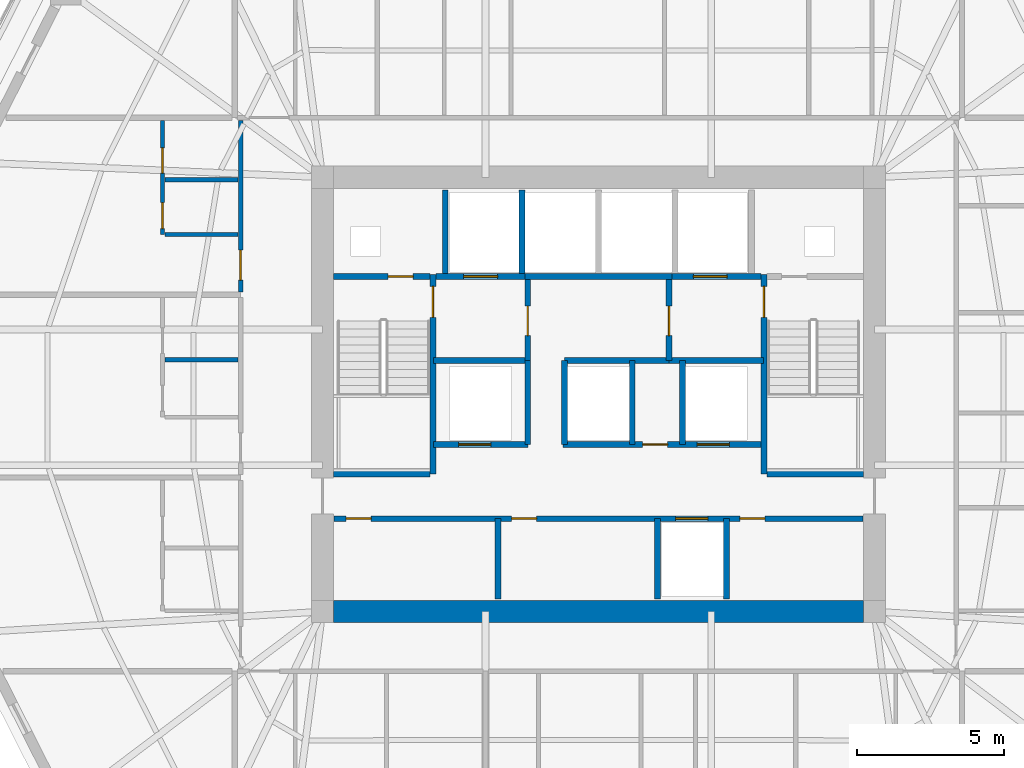
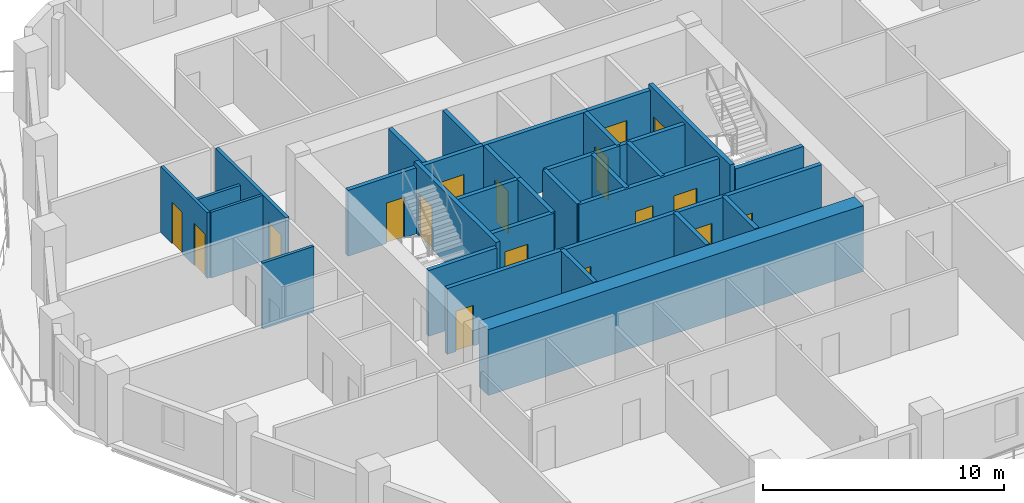
# One storey, part 5 of 10: 31 walls, 17 doors, 17 openings.
"""IFC4 building model written with IfcOpenShell, lengths in metres."""

from ifc_helpers import new_model, si_unit, direction, frame, frame_2d, origin, place, context, subcontext, project, spatial, rectangle, extrude, material, layer, layer_set, type_object, element, fill, save


model = new_model("IFC4")

# Units and contexts
model_context = context("Model", 3, precision=1e-05, world=origin(), true_north=direction((0.0, 1.0)))
body_context = subcontext(model_context, "Body", "Model", "MODEL_VIEW")
ifc_project = project(units=[si_unit("LENGTHUNIT", "METRE"), si_unit("AREAUNIT", "SQUARE_METRE"), si_unit("VOLUMEUNIT", "CUBIC_METRE"), si_unit("PLANEANGLEUNIT", "RADIAN"), si_unit("MASSUNIT", "GRAM", prefix="KILO")], contexts=[model_context])

# Site, building, storey
site_placement = place(None, origin())
site = spatial("IfcSite", under=ifc_project, at=site_placement, CompositionType="ELEMENT")
building_placement = place(site_placement, origin())
building = spatial("IfcBuilding", under=site, at=building_placement, Name="Cinnabar Lancet Tower", CompositionType="ELEMENT")
storey_placement = place(building_placement, frame((0.0, 0.0, 116.14990234375)))
storey = spatial("IfcBuildingStorey", under=building, at=storey_placement, Name="L30", CompositionType="ELEMENT", Elevation=116.14990234375)

# Wall, opening, door
ifc_material_1 = material(Name="Acoustic twin-stud gypsum partition", Category="gypsum")
ifc_layer_1 = layer(ifc_material_1, 0.159912109375)
ifc_layer_set_1 = layer_set([ifc_layer_1], Name="Acoustic twin-stud gypsum partition")
wall_type_1 = type_object("IfcWallType", Name="ARC-WL-CORR-160", PredefinedType="PARTITIONING", material=ifc_layer_set_1)
wall_1_placement = place(storey_placement, frame((20.25, 29.37890625, 0.0), z_axis=(0.0, 0.0, 1.0), x_axis=(0.0, 1.0, 0.0)))
wall_1 = element("IfcWall", 1, at=wall_1_placement, inside=storey, type_object=wall_type_1, Name="UW-L30-W03-COR", PredefinedType="PARTITIONING", context=body_context, shape_type="SweptSolid", body=[
    extrude(rectangle(XDim=5.826171875, YDim=0.159912109375, at=frame_2d((2.9130859375, 0.0))), origin(), (0.0, 0.0, 1.0), 3.340087890625),
])
opening_1_placement = place(wall_1_placement, frame((0.39990234375, 0.0, 0.0)))
opening_1 = element("IfcOpeningElement", 2, at=opening_1_placement, cuts=wall_1, Name="Opening UD-01", PredefinedType="OPENING", context=body_context, shape_type="SweptSolid", body=[
    extrude(rectangle(XDim=1.02001953125, YDim=2.25, at=frame_2d((0.510009765625, 1.125))), frame((0.0, 0.08984375, 0.0), z_axis=(0.0, -1.0, 0.0), x_axis=(1.0, 0.0, 0.0)), (0.0, 0.0, 1.0), 0.179931640625),
])
ifc_material_2 = material(Name="Solid timber fire-rated apartment entrance door", Category="wood")
door_type_1 = type_object("IfcDoorType", Name="ARC-DR-UNIT", OperationType="NOTDEFINED", PredefinedType="DOOR", material=ifc_material_2)
door_1_placement = place(opening_1_placement, origin())
door_1 = element("IfcDoor", 3, at=door_1_placement, inside=storey, type_object=door_type_1, Name="DR-L30-W03-ENT", OperationType="SINGLE_SWING_RIGHT", OverallHeight=2.25, OverallWidth=1.02001953125, PredefinedType="DOOR", context=body_context, shape_type="SweptSolid", body=[
    extrude(rectangle(XDim=1.02001953125, YDim=2.25, at=frame_2d((0.510009765625, 1.125))), frame((0.0, 0.02490234375, 0.0), z_axis=(0.0, -1.0, 0.0), x_axis=(1.0, 0.0, 0.0)), (0.0, 0.0, 1.0), 0.050048828125),
])
fill(opening_1, door_1)

# Walls
ifc_material_3 = material(Name="Autoclaved aerated concrete blockwork", Category="masonry")
ifc_layer_2 = layer(ifc_material_3, 0.199951171875)
ifc_layer_set_2 = layer_set([ifc_layer_2], Name="Autoclaved aerated concrete blockwork")
wall_type_2 = type_object("IfcWallType", Name="ARC-WL-SHAFT-200", PredefinedType="PLUMBINGWALL", material=ifc_layer_set_2)
for number, where, z_axis, x_axis, name in (
    (4, (23.405029296875, 23.199951171875, 0.0), (0.0, 0.0, 1.0), (1.0, 0.0, 0.0), "CW-ST1S-L30"),
    (5, (38.125, 23.199951171875, 0.0), (0.0, 0.0, 1.0), (1.0, 0.0, 0.0), "CW-ST2S-L30"),
):
    element("IfcWall", number, at=place(storey_placement, frame(where, z_axis=z_axis, x_axis=x_axis)), inside=storey, type_object=wall_type_2, Name=name, PredefinedType="PLUMBINGWALL", context=body_context, shape_type="SweptSolid", body=[
        extrude(rectangle(XDim=3.27001953125, YDim=0.199951171875, at=frame_2d((1.635009765625, 0.0))), origin(), (0.0, 0.0, 1.0), 3.340087890625),
    ])

# Wall, opening, door
wall_2_placement = place(storey_placement, frame((23.405029296875, 29.89990234375, 0.0), z_axis=(0.0, 0.0, 1.0), x_axis=(1.0, 0.0, 0.0)))
wall_2 = element("IfcWall", 6, at=wall_2_placement, inside=storey, type_object=wall_type_2, Name="CW-NSH-W-L30", PredefinedType="PLUMBINGWALL", context=body_context, shape_type="SweptSolid", body=[
    extrude(rectangle(XDim=3.27001953125, YDim=0.199951171875, at=frame_2d((1.635009765625, 0.0))), origin(), (0.0, 0.0, 1.0), 3.340087890625),
])
opening_2_placement = place(wall_2_placement, frame((1.85009765625, 0.0, 0.0)))
opening_2 = element("IfcOpeningElement", 7, at=opening_2_placement, cuts=wall_2, Name="Opening PD-02", PredefinedType="OPENING", context=body_context, shape_type="SweptSolid", body=[
    extrude(rectangle(XDim=0.85009765625, YDim=2.050048828125, at=frame_2d((0.425048828125, 1.02490234375))), frame((0.0, 0.10986328125, 0.0), z_axis=(0.0, -1.0, 0.0), x_axis=(1.0, 0.0, 0.0)), (0.0, 0.0, 1.0), 0.219970703125),
])
ifc_material_4 = material(Name="Fire-rated steel riser access door", Category="steel")
door_type_2 = type_object("IfcDoorType", Name="ARC-DR-RISER", OperationType="NOTDEFINED", PredefinedType="DOOR", material=ifc_material_4)
door_2_placement = place(opening_2_placement, origin())
door_2 = element("IfcDoor", 8, at=door_2_placement, inside=storey, type_object=door_type_2, Name="L30 West Riser Access Door", OperationType="SINGLE_SWING_LEFT", OverallHeight=2.050048828125, OverallWidth=0.85009765625, PredefinedType="DOOR", context=body_context, shape_type="SweptSolid", body=[
    extrude(rectangle(XDim=0.85009765625, YDim=2.050048828125, at=frame_2d((0.425048828125, 1.02490234375))), frame((0.0, 0.02490234375, 0.0), z_axis=(0.0, -1.0, 0.0), x_axis=(1.0, 0.0, 0.0)), (0.0, 0.0, 1.0), 0.050048828125),
])
fill(opening_2, door_2)

wall_3_placement = place(storey_placement, frame((26.885009765625, 29.89990234375, 0.0), z_axis=(0.0, 0.0, 1.0), x_axis=(1.0, 0.0, 0.0)))
wall_3 = element("IfcWall", 9, at=wall_3_placement, inside=storey, type_object=wall_type_2, Name="CW-FL1-L30", PredefinedType="PLUMBINGWALL", context=body_context, shape_type="SweptSolid", body=[
    extrude(rectangle(XDim=3.014892578125, YDim=0.199951171875, at=frame_2d((1.50732421875, 0.0))), origin(), (0.0, 0.0, 1.0), 3.340087890625),
])
opening_3_placement = place(wall_3_placement, frame((0.93994140625, 0.0, 0.0)))
opening_3 = element("IfcOpeningElement", 10, at=opening_3_placement, cuts=wall_3, Name="Opening LD-02", PredefinedType="OPENING", context=body_context, shape_type="SweptSolid", body=[
    extrude(rectangle(XDim=1.14990234375, YDim=2.199951171875, at=frame_2d((0.574951171875, 1.10009765625))), frame((0.0, 0.10986328125, 0.0), z_axis=(0.0, -1.0, 0.0), x_axis=(1.0, 0.0, 0.0)), (0.0, 0.0, 1.0), 0.219970703125),
])
ifc_material_5 = material(Name="Fire-rated stainless steel firefighting lift landing door", Category="steel")
door_type_3 = type_object("IfcDoorType", Name="ARC-DR-LD-FIRE", OperationType="NOTDEFINED", PredefinedType="DOOR", material=ifc_material_5)
door_3_placement = place(opening_3_placement, origin())
door_3 = element("IfcDoor", 11, at=door_3_placement, inside=storey, type_object=door_type_3, Name="L30 Firefighting Lift FL-1 Landing Door", OperationType="DOUBLE_DOOR_SLIDING", OverallHeight=2.199951171875, OverallWidth=1.14990234375, PredefinedType="DOOR", context=body_context, shape_type="SweptSolid", body=[
    extrude(rectangle(XDim=1.14990234375, YDim=2.199951171875, at=frame_2d((0.574951171875, 1.10009765625))), frame((0.0, 0.02490234375, 0.0), z_axis=(0.0, -1.0, 0.0), x_axis=(1.0, 0.0, 0.0)), (0.0, 0.0, 1.0), 0.050048828125),
])
fill(opening_3, door_3)

# Wall
wall_4_placement = place(storey_placement, frame((29.89990234375, 29.89990234375, 0.0), z_axis=(0.0, 0.0, 1.0), x_axis=(1.0, 0.0, 0.0)))
element("IfcWall", 12, at=wall_4_placement, inside=storey, type_object=wall_type_2, Name="CW-PL78-L30", PredefinedType="PLUMBINGWALL", context=body_context, shape_type="SweptSolid", body=[
    extrude(rectangle(XDim=5.0, YDim=0.199951171875, at=frame_2d((2.5, 0.0))), origin(), (0.0, 0.0, 1.0), 3.340087890625),
])

# Wall, opening, door
wall_5_placement = place(storey_placement, frame((34.89990234375, 29.89990234375, 0.0), z_axis=(0.0, 0.0, 1.0), x_axis=(1.0, 0.0, 0.0)))
wall_5 = element("IfcWall", 13, at=wall_5_placement, inside=storey, type_object=wall_type_2, Name="CW-FL2-L30", PredefinedType="PLUMBINGWALL", context=body_context, shape_type="SweptSolid", body=[
    extrude(rectangle(XDim=3.01513671875, YDim=0.199951171875, at=frame_2d((1.507568359375, 0.0))), origin(), (0.0, 0.0, 1.0), 3.340087890625),
])
opening_4_placement = place(wall_5_placement, frame((0.72509765625, 0.0, 0.0)))
opening_4 = element("IfcOpeningElement", 14, at=opening_4_placement, cuts=wall_5, Name="Opening LD-02", PredefinedType="OPENING", context=body_context, shape_type="SweptSolid", body=[
    extrude(rectangle(XDim=1.14990234375, YDim=2.199951171875, at=frame_2d((0.574951171875, 1.10009765625))), frame((0.0, 0.10986328125, 0.0), z_axis=(0.0, -1.0, 0.0), x_axis=(1.0, 0.0, 0.0)), (0.0, 0.0, 1.0), 0.219970703125),
])
door_4_placement = place(opening_4_placement, origin())
door_4 = element("IfcDoor", 15, at=door_4_placement, inside=storey, type_object=door_type_3, Name="L30 Firefighting Lift FL-2 Landing Door", OperationType="DOUBLE_DOOR_SLIDING", OverallHeight=2.199951171875, OverallWidth=1.14990234375, PredefinedType="DOOR", context=body_context, shape_type="SweptSolid", body=[
    extrude(rectangle(XDim=1.14990234375, YDim=2.199951171875, at=frame_2d((0.574951171875, 1.10009765625))), frame((0.0, 0.02490234375, 0.0), z_axis=(0.0, -1.0, 0.0), x_axis=(1.0, 0.0, 0.0)), (0.0, 0.0, 1.0), 0.050048828125),
])
fill(opening_4, door_4)

# Walls
for number, where, z_axis, x_axis, name in (
    (16, (27.199951171875, 30.0, 0.0), (0.0, 0.0, 1.0), (0.0, 1.0, 0.0), "CW-NSH-D1-L30"),
    (17, (29.800048828125, 30.0, 0.0), (0.0, 0.0, 1.0), (0.0, 1.0, 0.0), "CW-NSH-D2-L30"),
):
    element("IfcWall", number, at=place(storey_placement, frame(where, z_axis=z_axis, x_axis=x_axis)), inside=storey, type_object=wall_type_2, Name=name, PredefinedType="PLUMBINGWALL", context=body_context, shape_type="SweptSolid", body=[
        extrude(rectangle(XDim=2.85009765625, YDim=0.199951171875, at=frame_2d((1.425048828125, 0.0))), origin(), (0.0, 0.0, 1.0), 3.340087890625),
    ])

# Wall, opening, door
wall_6_placement = place(storey_placement, frame((30.0, 27.050048828125, 0.0), z_axis=(0.0, 0.0, 1.0), x_axis=(0.0, 1.0, 0.0)))
wall_6 = element("IfcWall", 18, at=wall_6_placement, inside=storey, type_object=wall_type_2, Name="CW-FF1E-L30", PredefinedType="PLUMBINGWALL", context=body_context, shape_type="SweptSolid", body=[
    extrude(rectangle(XDim=2.75, YDim=0.199951171875, at=frame_2d((1.375, 0.0))), origin(), (0.0, 0.0, 1.0), 3.340087890625),
])
opening_5_placement = place(wall_6_placement, frame((0.85009765625, 0.0, 0.0)))
opening_5 = element("IfcOpeningElement", 19, at=opening_5_placement, cuts=wall_6, Name="Opening FD-01", PredefinedType="OPENING", context=body_context, shape_type="SweptSolid", body=[
    extrude(rectangle(XDim=1.0, YDim=2.14990234375, at=frame_2d((0.5, 1.074951171875))), frame((0.0, 0.10986328125, 0.0), z_axis=(0.0, -1.0, 0.0), x_axis=(1.0, 0.0, 0.0)), (0.0, 0.0, 1.0), 0.219970703125),
])
ifc_material_6 = material(Name="Fire-rated timber-core lobby door", Category="wood")
door_type_4 = type_object("IfcDoorType", Name="ARC-DR-FFAL", OperationType="NOTDEFINED", PredefinedType="DOOR", material=ifc_material_6)
door_5_placement = place(opening_5_placement, origin())
door_5 = element("IfcDoor", 20, at=door_5_placement, inside=storey, type_object=door_type_4, Name="L30 FFAL-1 Lobby Fire Door", OperationType="SINGLE_SWING_RIGHT", OverallHeight=2.14990234375, OverallWidth=1.0, PredefinedType="DOOR", context=body_context, shape_type="SweptSolid", body=[
    extrude(rectangle(XDim=1.0, YDim=2.14990234375, at=frame_2d((0.5, 1.074951171875))), frame((0.0, 0.02490234375, 0.0), z_axis=(0.0, -1.0, 0.0), x_axis=(1.0, 0.0, 0.0)), (0.0, 0.0, 1.0), 0.050048828125),
])
fill(opening_5, door_5)

# Wall
wall_7_placement = place(storey_placement, frame((26.800048828125, 27.050048828125, 0.0), z_axis=(0.0, 0.0, 1.0), x_axis=(1.0, 0.0, 0.0)))
element("IfcWall", 21, at=wall_7_placement, inside=storey, type_object=wall_type_2, Name="CW-FF1S-L30", PredefinedType="PLUMBINGWALL", context=body_context, shape_type="SweptSolid", body=[
    extrude(rectangle(XDim=3.199951171875, YDim=0.199951171875, at=frame_2d((1.60009765625, 0.0))), origin(), (0.0, 0.0, 1.0), 3.340087890625),
])

# Wall, opening, door
wall_8_placement = place(storey_placement, frame((34.800048828125, 27.050048828125, 0.0), z_axis=(0.0, 0.0, 1.0), x_axis=(0.0, 1.0, 0.0)))
wall_8 = element("IfcWall", 22, at=wall_8_placement, inside=storey, type_object=wall_type_2, Name="CW-FF2W-L30", PredefinedType="PLUMBINGWALL", context=body_context, shape_type="SweptSolid", body=[
    extrude(rectangle(XDim=2.75, YDim=0.199951171875, at=frame_2d((1.375, 0.0))), origin(), (0.0, 0.0, 1.0), 3.340087890625),
])
opening_6_placement = place(wall_8_placement, frame((0.85009765625, 0.0, 0.0)))
opening_6 = element("IfcOpeningElement", 23, at=opening_6_placement, cuts=wall_8, Name="Opening FD-01", PredefinedType="OPENING", context=body_context, shape_type="SweptSolid", body=[
    extrude(rectangle(XDim=1.0, YDim=2.14990234375, at=frame_2d((0.5, 1.074951171875))), frame((0.0, 0.10986328125, 0.0), z_axis=(0.0, -1.0, 0.0), x_axis=(1.0, 0.0, 0.0)), (0.0, 0.0, 1.0), 0.219970703125),
])
door_6_placement = place(opening_6_placement, origin())
door_6 = element("IfcDoor", 24, at=door_6_placement, inside=storey, type_object=door_type_4, Name="L30 FFAL-2 Lobby Fire Door", OperationType="SINGLE_SWING_LEFT", OverallHeight=2.14990234375, OverallWidth=1.0, PredefinedType="DOOR", context=body_context, shape_type="SweptSolid", body=[
    extrude(rectangle(XDim=1.0, YDim=2.14990234375, at=frame_2d((0.5, 1.074951171875))), frame((0.0, 0.02490234375, 0.0), z_axis=(0.0, -1.0, 0.0), x_axis=(1.0, 0.0, 0.0)), (0.0, 0.0, 1.0), 0.050048828125),
])
fill(opening_6, door_6)

# Wall
wall_9_placement = place(storey_placement, frame((34.800048828125, 27.050048828125, 0.0), z_axis=(0.0, 0.0, 1.0), x_axis=(1.0, 0.0, 0.0)))
element("IfcWall", 25, at=wall_9_placement, inside=storey, type_object=wall_type_2, Name="CW-FF2S-L30", PredefinedType="PLUMBINGWALL", context=body_context, shape_type="SweptSolid", body=[
    extrude(rectangle(XDim=3.199951171875, YDim=0.199951171875, at=frame_2d((1.60009765625, 0.0))), origin(), (0.0, 0.0, 1.0), 3.340087890625),
])

# Wall, opening, door
wall_10_placement = place(storey_placement, frame((26.800048828125, 24.199951171875, 0.0), z_axis=(0.0, 0.0, 1.0), x_axis=(1.0, 0.0, 0.0)))
wall_10 = element("IfcWall", 26, at=wall_10_placement, inside=storey, type_object=wall_type_2, Name="CW-PL5S-L30", PredefinedType="PLUMBINGWALL", context=body_context, shape_type="SweptSolid", body=[
    extrude(rectangle(XDim=3.199951171875, YDim=0.199951171875, at=frame_2d((1.60009765625, 0.0))), origin(), (0.0, 0.0, 1.0), 3.340087890625),
])
opening_7_placement = place(wall_10_placement, frame((0.85009765625, 0.0, 0.0)))
opening_7 = element("IfcOpeningElement", 27, at=opening_7_placement, cuts=wall_10, Name="Opening LD-01", PredefinedType="OPENING", context=body_context, shape_type="SweptSolid", body=[
    extrude(rectangle(XDim=1.10009765625, YDim=2.199951171875, at=frame_2d((0.550048828125, 1.10009765625))), frame((0.0, 0.10986328125, 0.0), z_axis=(0.0, -1.0, 0.0), x_axis=(1.0, 0.0, 0.0)), (0.0, 0.0, 1.0), 0.219970703125),
])
ifc_material_7 = material(Name="Brushed stainless steel sliding lift door", Category="steel")
door_type_5 = type_object("IfcDoorType", Name="ARC-DR-LD-PASS", OperationType="NOTDEFINED", PredefinedType="DOOR", material=ifc_material_7)
door_7_placement = place(opening_7_placement, origin())
door_7 = element("IfcDoor", 28, at=door_7_placement, inside=storey, type_object=door_type_5, Name="L30 Lift PL-5 Landing Door", OperationType="DOUBLE_DOOR_SLIDING", OverallHeight=2.199951171875, OverallWidth=1.10009765625, PredefinedType="DOOR", context=body_context, shape_type="SweptSolid", body=[
    extrude(rectangle(XDim=1.10009765625, YDim=2.199951171875, at=frame_2d((0.550048828125, 1.10009765625))), frame((0.0, 0.02490234375, 0.0), z_axis=(0.0, -1.0, 0.0), x_axis=(1.0, 0.0, 0.0)), (0.0, 0.0, 1.0), 0.050048828125),
])
fill(opening_7, door_7)

# Wall
wall_11_placement = place(storey_placement, frame((30.0, 24.199951171875, 0.0), z_axis=(0.0, 0.0, 1.0), x_axis=(0.0, 1.0, 0.0)))
element("IfcWall", 29, at=wall_11_placement, inside=storey, type_object=wall_type_2, Name="CW-PL5E-L30", PredefinedType="PLUMBINGWALL", context=body_context, shape_type="SweptSolid", body=[
    extrude(rectangle(XDim=2.85009765625, YDim=0.199951171875, at=frame_2d((1.425048828125, 0.0))), origin(), (0.0, 0.0, 1.0), 3.340087890625),
])

# Wall, openings, doors
wall_12_placement = place(storey_placement, frame((31.199951171875, 24.199951171875, 0.0), z_axis=(0.0, 0.0, 1.0), x_axis=(1.0, 0.0, 0.0)))
wall_12 = element("IfcWall", 30, at=wall_12_placement, inside=storey, type_object=wall_type_2, Name="CW-PL96S-L30", PredefinedType="PLUMBINGWALL", context=body_context, shape_type="SweptSolid", body=[
    extrude(rectangle(XDim=6.800048828125, YDim=0.199951171875, at=frame_2d((3.39990234375, 0.0))), origin(), (0.0, 0.0, 1.0), 3.340087890625),
])
opening_8_placement = place(wall_12_placement, frame((2.699951171875, 0.0, 0.0)))
opening_8 = element("IfcOpeningElement", 31, at=opening_8_placement, cuts=wall_12, Name="Opening PD-02", PredefinedType="OPENING", context=body_context, shape_type="SweptSolid", body=[
    extrude(rectangle(XDim=0.85009765625, YDim=2.050048828125, at=frame_2d((0.425048828125, 1.02490234375))), frame((0.0, 0.10986328125, 0.0), z_axis=(0.0, -1.0, 0.0), x_axis=(1.0, 0.0, 0.0)), (0.0, 0.0, 1.0), 0.219970703125),
])
opening_9_placement = place(wall_12_placement, frame((4.550048828125, 0.0, 0.0)))
opening_9 = element("IfcOpeningElement", 32, at=opening_9_placement, cuts=wall_12, Name="Opening LD-01", PredefinedType="OPENING", context=body_context, shape_type="SweptSolid", body=[
    extrude(rectangle(XDim=1.10009765625, YDim=2.199951171875, at=frame_2d((0.550048828125, 1.10009765625))), frame((0.0, 0.10986328125, 0.0), z_axis=(0.0, -1.0, 0.0), x_axis=(1.0, 0.0, 0.0)), (0.0, 0.0, 1.0), 0.219970703125),
])
door_8_placement = place(opening_9_placement, origin())
door_8 = element("IfcDoor", 33, at=door_8_placement, inside=storey, type_object=door_type_5, Name="L30 Lift PL-6 Landing Door", OperationType="DOUBLE_DOOR_SLIDING", OverallHeight=2.199951171875, OverallWidth=1.10009765625, PredefinedType="DOOR", context=body_context, shape_type="SweptSolid", body=[
    extrude(rectangle(XDim=1.10009765625, YDim=2.199951171875, at=frame_2d((0.550048828125, 1.10009765625))), frame((0.0, 0.02490234375, 0.0), z_axis=(0.0, -1.0, 0.0), x_axis=(1.0, 0.0, 0.0)), (0.0, 0.0, 1.0), 0.050048828125),
])
fill(opening_9, door_8)
door_9_placement = place(opening_8_placement, origin())
door_9 = element("IfcDoor", 34, at=door_9_placement, inside=storey, type_object=door_type_2, Name="L30 BMS Closet Door", OperationType="SINGLE_SWING_LEFT", OverallHeight=2.050048828125, OverallWidth=0.85009765625, PredefinedType="DOOR", context=body_context, shape_type="SweptSolid", body=[
    extrude(rectangle(XDim=0.85009765625, YDim=2.050048828125, at=frame_2d((0.425048828125, 1.02490234375))), frame((0.0, 0.02490234375, 0.0), z_axis=(0.0, -1.0, 0.0), x_axis=(1.0, 0.0, 0.0)), (0.0, 0.0, 1.0), 0.050048828125),
])
fill(opening_8, door_9)

# Walls
for number, where, z_axis, x_axis, name in (
    (35, (31.25, 24.199951171875, 0.0), (0.0, 0.0, 1.0), (0.0, 1.0, 0.0), "CW-PL9W-L30"),
    (36, (33.550048828125, 24.199951171875, 0.0), (0.0, 0.0, 1.0), (0.0, 1.0, 0.0), "CW-PL9E-L30"),
    (37, (35.25, 24.199951171875, 0.0), (0.0, 0.0, 1.0), (0.0, 1.0, 0.0), "CW-PL6W-L30"),
):
    element("IfcWall", number, at=place(storey_placement, frame(where, z_axis=z_axis, x_axis=x_axis)), inside=storey, type_object=wall_type_2, Name=name, PredefinedType="PLUMBINGWALL", context=body_context, shape_type="SweptSolid", body=[
        extrude(rectangle(XDim=2.85009765625, YDim=0.199951171875, at=frame_2d((1.425048828125, 0.0))), origin(), (0.0, 0.0, 1.0), 3.340087890625),
    ])
wall_13_placement = place(storey_placement, frame((31.25, 27.050048828125, 0.0), z_axis=(0.0, 0.0, 1.0), x_axis=(1.0, 0.0, 0.0)))
element("IfcWall", 38, at=wall_13_placement, inside=storey, type_object=wall_type_2, Name="CW-PL96N-L30", PredefinedType="PLUMBINGWALL", context=body_context, shape_type="SweptSolid", body=[
    extrude(rectangle(XDim=3.550048828125, YDim=0.199951171875, at=frame_2d((1.77490234375, 0.0))), origin(), (0.0, 0.0, 1.0), 3.340087890625),
])

# Wall, openings, doors
wall_14_placement = place(storey_placement, frame((23.419921875, 21.679931640625, 0.0), z_axis=(0.0, 0.0, 1.0), x_axis=(1.0, 0.0, 0.0)))
wall_14 = element("IfcWall", 39, at=wall_14_placement, inside=storey, type_object=wall_type_2, Name="CW-SBANDN-L30", PredefinedType="PLUMBINGWALL", context=body_context, shape_type="SweptSolid", body=[
    extrude(rectangle(XDim=17.9599609375, YDim=0.199951171875, at=frame_2d((8.97998046875, 0.0))), origin(), (0.0, 0.0, 1.0), 3.340087890625),
])
opening_10_placement = place(wall_14_placement, frame((11.60009765625, 0.0, 0.0)))
opening_10 = element("IfcOpeningElement", 40, at=opening_10_placement, cuts=wall_14, Name="Opening LD-01", PredefinedType="OPENING", context=body_context, shape_type="SweptSolid", body=[
    extrude(rectangle(XDim=1.10009765625, YDim=2.199951171875, at=frame_2d((0.550048828125, 1.10009765625))), frame((0.0, 0.10986328125, 0.0), z_axis=(0.0, -1.0, 0.0), x_axis=(1.0, 0.0, 0.0)), (0.0, 0.0, 1.0), 0.219970703125),
])
opening_11_placement = place(wall_14_placement, frame((0.409912109375, 0.0, 0.0)))
opening_11 = element("IfcOpeningElement", 41, at=opening_11_placement, cuts=wall_14, Name="Opening PD-02", PredefinedType="OPENING", context=body_context, shape_type="SweptSolid", body=[
    extrude(rectangle(XDim=0.85009765625, YDim=2.050048828125, at=frame_2d((0.425048828125, 1.02490234375))), frame((0.0, 0.10986328125, 0.0), z_axis=(0.0, -1.0, 0.0), x_axis=(1.0, 0.0, 0.0)), (0.0, 0.0, 1.0), 0.219970703125),
])
opening_12_placement = place(wall_14_placement, frame((6.030029296875, 0.0, 0.0)))
opening_12 = element("IfcOpeningElement", 42, at=opening_12_placement, cuts=wall_14, Name="Opening PD-02", PredefinedType="OPENING", context=body_context, shape_type="SweptSolid", body=[
    extrude(rectangle(XDim=0.85009765625, YDim=2.050048828125, at=frame_2d((0.425048828125, 1.02490234375))), frame((0.0, 0.10986328125, 0.0), z_axis=(0.0, -1.0, 0.0), x_axis=(1.0, 0.0, 0.0)), (0.0, 0.0, 1.0), 0.219970703125),
])
opening_13_placement = place(wall_14_placement, frame((13.780029296875, 0.0, 0.0)))
opening_13 = element("IfcOpeningElement", 43, at=opening_13_placement, cuts=wall_14, Name="Opening PD-02", PredefinedType="OPENING", context=body_context, shape_type="SweptSolid", body=[
    extrude(rectangle(XDim=0.85009765625, YDim=2.050048828125, at=frame_2d((0.425048828125, 1.02490234375))), frame((0.0, 0.10986328125, 0.0), z_axis=(0.0, -1.0, 0.0), x_axis=(1.0, 0.0, 0.0)), (0.0, 0.0, 1.0), 0.219970703125),
])
door_10_placement = place(opening_10_placement, origin())
door_10 = element("IfcDoor", 44, at=door_10_placement, inside=storey, type_object=door_type_5, Name="L30 Lift PL-4 Landing Door", OperationType="DOUBLE_DOOR_SLIDING", OverallHeight=2.199951171875, OverallWidth=1.10009765625, PredefinedType="DOOR", context=body_context, shape_type="SweptSolid", body=[
    extrude(rectangle(XDim=1.10009765625, YDim=2.199951171875, at=frame_2d((0.550048828125, 1.10009765625))), frame((0.0, 0.02490234375, 0.0), z_axis=(0.0, -1.0, 0.0), x_axis=(1.0, 0.0, 0.0)), (0.0, 0.0, 1.0), 0.050048828125),
])
fill(opening_10, door_10)
door_11_placement = place(opening_11_placement, origin())
door_11 = element("IfcDoor", 45, at=door_11_placement, inside=storey, type_object=door_type_2, Name="DR-L30-MREC1", OperationType="SINGLE_SWING_LEFT", OverallHeight=2.050048828125, OverallWidth=0.85009765625, PredefinedType="DOOR", context=body_context, shape_type="SweptSolid", body=[
    extrude(rectangle(XDim=0.85009765625, YDim=2.050048828125, at=frame_2d((0.425048828125, 1.02490234375))), frame((0.0, 0.02490234375, 0.0), z_axis=(0.0, -1.0, 0.0), x_axis=(1.0, 0.0, 0.0)), (0.0, 0.0, 1.0), 0.050048828125),
])
fill(opening_11, door_11)
door_12_placement = place(opening_12_placement, origin())
door_12 = element("IfcDoor", 46, at=door_12_placement, inside=storey, type_object=door_type_2, Name="DR-L30-MREC2", OperationType="SINGLE_SWING_RIGHT", OverallHeight=2.050048828125, OverallWidth=0.85009765625, PredefinedType="DOOR", context=body_context, shape_type="SweptSolid", body=[
    extrude(rectangle(XDim=0.85009765625, YDim=2.050048828125, at=frame_2d((0.425048828125, 1.02490234375))), frame((0.0, 0.02490234375, 0.0), z_axis=(0.0, -1.0, 0.0), x_axis=(1.0, 0.0, 0.0)), (0.0, 0.0, 1.0), 0.050048828125),
])
fill(opening_12, door_12)
door_13_placement = place(opening_13_placement, origin())
door_13 = element("IfcDoor", 47, at=door_13_placement, inside=storey, type_object=door_type_2, Name="DR-L30-MREC3", OperationType="SINGLE_SWING_LEFT", OverallHeight=2.050048828125, OverallWidth=0.85009765625, PredefinedType="DOOR", context=body_context, shape_type="SweptSolid", body=[
    extrude(rectangle(XDim=0.85009765625, YDim=2.050048828125, at=frame_2d((0.425048828125, 1.02490234375))), frame((0.0, 0.02490234375, 0.0), z_axis=(0.0, -1.0, 0.0), x_axis=(1.0, 0.0, 0.0)), (0.0, 0.0, 1.0), 0.050048828125),
])
fill(opening_13, door_13)

# Walls
for number, where, z_axis, x_axis, name in (
    (48, (34.39990234375, 18.949951171875, 0.0), (0.0, 0.0, 1.0), (0.0, 1.0, 0.0), "CW-SB-3440-L30"),
    (49, (36.75, 18.949951171875, 0.0), (0.0, 0.0, 1.0), (0.0, 1.0, 0.0), "CW-SB-3675-L30"),
    (50, (28.989990234375, 18.949951171875, 0.0), (0.0, 0.0, 1.0), (0.0, 1.0, 0.0), "CW-SB-2899-L30"),
):
    element("IfcWall", number, at=place(storey_placement, frame(where, z_axis=z_axis, x_axis=x_axis)), inside=storey, type_object=wall_type_2, Name=name, PredefinedType="PLUMBINGWALL", context=body_context, shape_type="SweptSolid", body=[
        extrude(rectangle(XDim=2.72998046875, YDim=0.199951171875, at=frame_2d((1.364990234375, 0.0))), origin(), (0.0, 0.0, 1.0), 3.340087890625),
    ])
ifc_material_8 = material(Name="Gypsum plasterboard stud partition", Category="gypsum")
ifc_layer_3 = layer(ifc_material_8, 0.125)
ifc_layer_set_3 = layer_set([ifc_layer_3], Name="Gypsum plasterboard stud partition")
wall_type_3 = type_object("IfcWallType", Name="ARC-WL-UNIT-125", PredefinedType="PARTITIONING", material=ifc_layer_set_3)
wall_15_placement = place(storey_placement, frame((17.68505859375, 31.333984375, 0.0), z_axis=(0.0, 0.0, 1.0), x_axis=(1.0, 0.0, 0.0)))
element("IfcWall", 51, at=wall_15_placement, inside=storey, type_object=wall_type_3, Name="UW-L30-W03-FOYN", PredefinedType="PARTITIONING", context=body_context, shape_type="SweptSolid", body=[
    extrude(rectangle(XDim=2.47998046875, YDim=0.125, at=frame_2d((1.239990234375, 0.0))), origin(), (0.0, 0.0, 1.0), 3.340087890625),
])
ifc_material_9 = material(Name="Moisture-resistant cement-board plumbing wall", Category="masonry")
ifc_layer_4 = layer(ifc_material_9, 0.139892578125)
ifc_layer_set_4 = layer_set([ifc_layer_4], Name="Moisture-resistant cement-board plumbing wall")
wall_type_4 = type_object("IfcWallType", Name="ARC-WL-WET-140", PredefinedType="PLUMBINGWALL", material=ifc_layer_set_4)
wall_16_placement = place(storey_placement, frame((17.68505859375, 27.077880859375, 0.0), z_axis=(0.0, 0.0, 1.0), x_axis=(1.0, 0.0, 0.0)))
element("IfcWall", 52, at=wall_16_placement, inside=storey, type_object=wall_type_4, Name="UW-L30-W02-KDV", PredefinedType="PLUMBINGWALL", context=body_context, shape_type="SweptSolid", body=[
    extrude(rectangle(XDim=2.47998046875, YDim=0.139892578125, at=frame_2d((1.239990234375, 0.0))), origin(), (0.0, 0.0, 1.0), 3.340087890625),
])

# Wall, openings, doors
wall_17_placement = place(storey_placement, frame((17.60009765625, 31.333984375, 0.0), z_axis=(0.0, 0.0, 1.0), x_axis=(0.0, 1.0, 0.0)))
wall_17 = element("IfcWall", 53, at=wall_17_placement, inside=storey, type_object=wall_type_4, Name="UW-L30-W03-SPL", PredefinedType="PLUMBINGWALL", context=body_context, shape_type="SweptSolid", body=[
    extrude(rectangle(XDim=3.87109375, YDim=0.139892578125, at=frame_2d((1.935546875, 0.0))), origin(), (0.0, 0.0, 1.0), 3.340087890625),
])
opening_14_placement = place(wall_17_placement, frame((2.077880859375, 0.0, 0.0)))
opening_14 = element("IfcOpeningElement", 54, at=opening_14_placement, cuts=wall_17, Name="Opening BD-01", PredefinedType="OPENING", context=body_context, shape_type="SweptSolid", body=[
    extrude(rectangle(XDim=0.860107421875, YDim=2.10009765625, at=frame_2d((0.43017578125, 1.050048828125))), frame((0.0, 0.079833984375, 0.0), z_axis=(0.0, -1.0, 0.0), x_axis=(1.0, 0.0, 0.0)), (0.0, 0.0, 1.0), 0.159912109375),
])
opening_15_placement = place(wall_17_placement, frame((0.199951171875, 0.0, 0.0)))
opening_15 = element("IfcOpeningElement", 55, at=opening_15_placement, cuts=wall_17, Name="Opening RD-02", PredefinedType="OPENING", context=body_context, shape_type="SweptSolid", body=[
    extrude(rectangle(XDim=0.8798828125, YDim=2.14990234375, at=frame_2d((0.43994140625, 1.074951171875))), frame((0.0, 0.079833984375, 0.0), z_axis=(0.0, -1.0, 0.0), x_axis=(1.0, 0.0, 0.0)), (0.0, 0.0, 1.0), 0.159912109375),
])
ifc_material_10 = material(Name="Moisture-resistant timber bathroom door", Category="wood")
door_type_6 = type_object("IfcDoorType", Name="ARC-DR-BATH", OperationType="NOTDEFINED", PredefinedType="DOOR", material=ifc_material_10)
door_14_placement = place(opening_14_placement, origin())
door_14 = element("IfcDoor", 56, at=door_14_placement, inside=storey, type_object=door_type_6, Name="DR-L30-W03-BTH", OperationType="SINGLE_SWING_RIGHT", OverallHeight=2.10009765625, OverallWidth=0.860107421875, PredefinedType="DOOR", context=body_context, shape_type="SweptSolid", body=[
    extrude(rectangle(XDim=0.860107421875, YDim=2.10009765625, at=frame_2d((0.43017578125, 1.050048828125))), frame((0.0, 0.02490234375, 0.0), z_axis=(0.0, -1.0, 0.0), x_axis=(1.0, 0.0, 0.0)), (0.0, 0.0, 1.0), 0.050048828125),
])
fill(opening_14, door_14)
ifc_material_11 = material(Name="Engineered timber study door", Category="wood")
door_type_7 = type_object("IfcDoorType", Name="ARC-DR-STUDY", OperationType="NOTDEFINED", PredefinedType="DOOR", material=ifc_material_11)
door_15_placement = place(opening_15_placement, origin())
door_15 = element("IfcDoor", 57, at=door_15_placement, inside=storey, type_object=door_type_7, Name="DR-L30-W03-KIT", OperationType="SINGLE_SWING_LEFT", OverallHeight=2.14990234375, OverallWidth=0.8798828125, PredefinedType="DOOR", context=body_context, shape_type="SweptSolid", body=[
    extrude(rectangle(XDim=0.8798828125, YDim=2.14990234375, at=frame_2d((0.43994140625, 1.074951171875))), frame((0.0, 0.02490234375, 0.0), z_axis=(0.0, -1.0, 0.0), x_axis=(1.0, 0.0, 0.0)), (0.0, 0.0, 1.0), 0.050048828125),
])
fill(opening_15, door_15)

# Walls
wall_18_placement = place(storey_placement, frame((17.68505859375, 33.19189453125, 0.0), z_axis=(0.0, 0.0, 1.0), x_axis=(1.0, 0.0, 0.0)))
element("IfcWall", 58, at=wall_18_placement, inside=storey, type_object=wall_type_4, Name="UW-L30-W03-KDV", PredefinedType="PLUMBINGWALL", context=body_context, shape_type="SweptSolid", body=[
    extrude(rectangle(XDim=2.47998046875, YDim=0.139892578125, at=frame_2d((1.239990234375, 0.0))), origin(), (0.0, 0.0, 1.0), 2.72216796875),
])
ifc_material_12 = material(Name="Concrete C70/85", Category="concrete")
ifc_layer_5 = layer(ifc_material_12, 0.75)
ifc_layer_set_5 = layer_set([ifc_layer_5], Name="Concrete C70/85")
wall_type_5 = type_object("IfcWallType", Name="STR-WL-CORE-750", PredefinedType="SHEAR", material=ifc_layer_set_5)
wall_19_placement = place(storey_placement, frame((23.39990234375, 18.52490234375, 0.0), z_axis=(0.0, 0.0, 1.0), x_axis=(1.0, 0.0, 0.0)))
element("IfcWall", 59, at=wall_19_placement, inside=storey, type_object=wall_type_5, Name="L30 Core Shear Wall S", PredefinedType="SHEAR", context=body_context, shape_type="SweptSolid", body=[
    extrude(rectangle(XDim=18.0, YDim=0.75, at=frame_2d((9.0, 0.0))), origin(), (0.0, 0.0, 1.0), 3.340087890625),
])

# Wall, opening, door
ifc_material_13 = material(Name="Concrete C50/60", Category="concrete")
ifc_layer_6 = layer(ifc_material_13, 0.199951171875)
ifc_layer_set_6 = layer_set([ifc_layer_6], Name="Concrete C50/60")
wall_type_6 = type_object("IfcWallType", Name="STR-WL-STAIR-200", PredefinedType="SHEAR", material=ifc_layer_set_6)
wall_20_placement = place(storey_placement, frame((26.780029296875, 23.199951171875, 0.0), z_axis=(0.0, 0.0, 1.0), x_axis=(0.0, 1.0, 0.0)))
wall_20 = element("IfcWall", 60, at=wall_20_placement, inside=storey, type_object=wall_type_6, Name="L30 Stair ST-1 Structural Enclosure Wall", PredefinedType="SHEAR", context=body_context, shape_type="SweptSolid", body=[
    extrude(rectangle(XDim=6.780029296875, YDim=0.199951171875, at=frame_2d((3.39013671875, 0.0))), origin(), (0.0, 0.0, 1.0), 3.550048828125),
])
opening_16_placement = place(wall_20_placement, frame((5.320068359375, 0.0, 0.0)))
opening_16 = element("IfcOpeningElement", 61, at=opening_16_placement, cuts=wall_20, Name="Opening SD-01", PredefinedType="OPENING", context=body_context, shape_type="SweptSolid", body=[
    extrude(rectangle(XDim=1.050048828125, YDim=2.14990234375, at=frame_2d((0.52490234375, 1.074951171875))), frame((0.0, 0.10986328125, 0.0), z_axis=(0.0, -1.0, 0.0), x_axis=(1.0, 0.0, 0.0)), (0.0, 0.0, 1.0), 0.219970703125),
])
ifc_material_14 = material(Name="Fire-rated steel stair exit door", Category="steel")
door_type_8 = type_object("IfcDoorType", Name="ARC-DR-STAIR", OperationType="NOTDEFINED", PredefinedType="DOOR", material=ifc_material_14)
door_16_placement = place(opening_16_placement, origin())
door_16 = element("IfcDoor", 62, at=door_16_placement, inside=storey, type_object=door_type_8, Name="L30 Stair ST-1 Fire Door", OperationType="SINGLE_SWING_LEFT", OverallHeight=2.14990234375, OverallWidth=1.050048828125, PredefinedType="DOOR", context=body_context, shape_type="SweptSolid", body=[
    extrude(rectangle(XDim=1.050048828125, YDim=2.14990234375, at=frame_2d((0.52490234375, 1.074951171875))), frame((0.0, 0.02490234375, 0.0), z_axis=(0.0, -1.0, 0.0), x_axis=(1.0, 0.0, 0.0)), (0.0, 0.0, 1.0), 0.050048828125),
])
fill(opening_16, door_16)

wall_21_placement = place(storey_placement, frame((38.02001953125, 23.199951171875, 0.0), z_axis=(0.0, 0.0, 1.0), x_axis=(0.0, 1.0, 0.0)))
wall_21 = element("IfcWall", 63, at=wall_21_placement, inside=storey, type_object=wall_type_6, Name="L30 Stair ST-2 Structural Enclosure Wall", PredefinedType="SHEAR", context=body_context, shape_type="SweptSolid", body=[
    extrude(rectangle(XDim=6.780029296875, YDim=0.199951171875, at=frame_2d((3.39013671875, 0.0))), origin(), (0.0, 0.0, 1.0), 3.550048828125),
])
opening_17_placement = place(wall_21_placement, frame((5.320068359375, 0.0, 0.0)))
opening_17 = element("IfcOpeningElement", 64, at=opening_17_placement, cuts=wall_21, Name="Opening SD-01", PredefinedType="OPENING", context=body_context, shape_type="SweptSolid", body=[
    extrude(rectangle(XDim=1.050048828125, YDim=2.14990234375, at=frame_2d((0.52490234375, 1.074951171875))), frame((0.0, 0.10986328125, 0.0), z_axis=(0.0, -1.0, 0.0), x_axis=(1.0, 0.0, 0.0)), (0.0, 0.0, 1.0), 0.219970703125),
])
door_17_placement = place(opening_17_placement, origin())
door_17 = element("IfcDoor", 65, at=door_17_placement, inside=storey, type_object=door_type_8, Name="L30 Stair ST-2 Fire Door", OperationType="SINGLE_SWING_RIGHT", OverallHeight=2.14990234375, OverallWidth=1.050048828125, PredefinedType="DOOR", context=body_context, shape_type="SweptSolid", body=[
    extrude(rectangle(XDim=1.050048828125, YDim=2.14990234375, at=frame_2d((0.52490234375, 1.074951171875))), frame((0.0, 0.02490234375, 0.0), z_axis=(0.0, -1.0, 0.0), x_axis=(1.0, 0.0, 0.0)), (0.0, 0.0, 1.0), 0.050048828125),
])
fill(opening_17, door_17)

save(model, "model.ifc")
